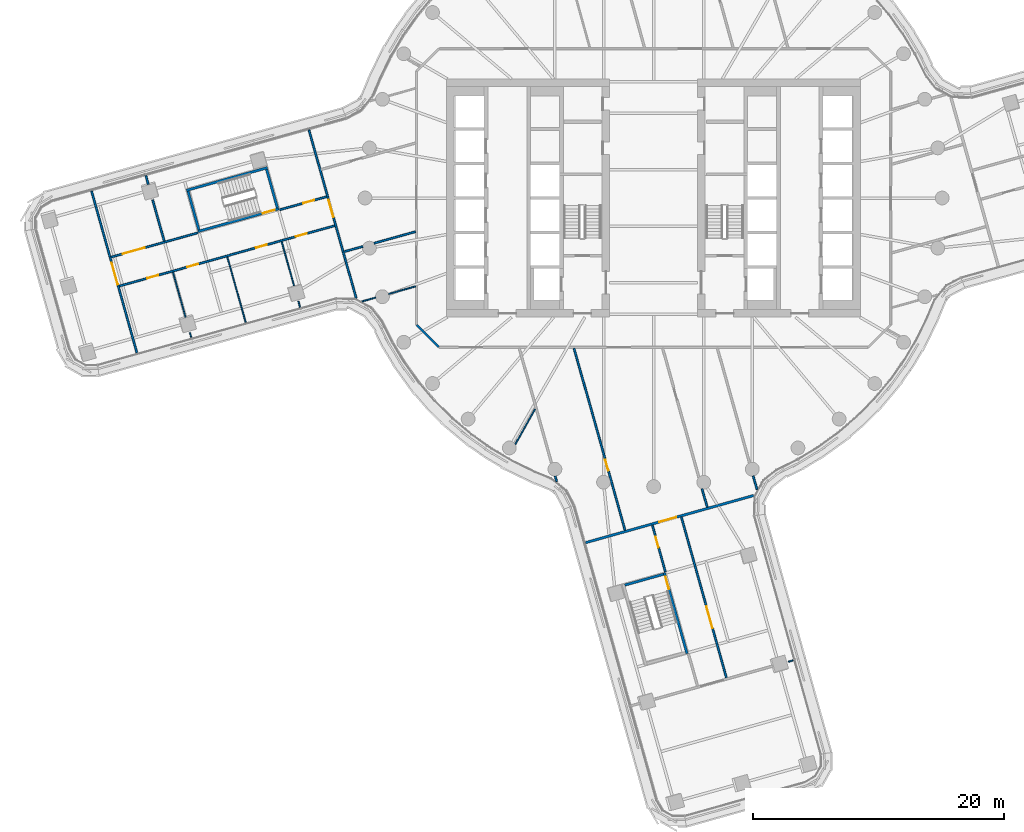
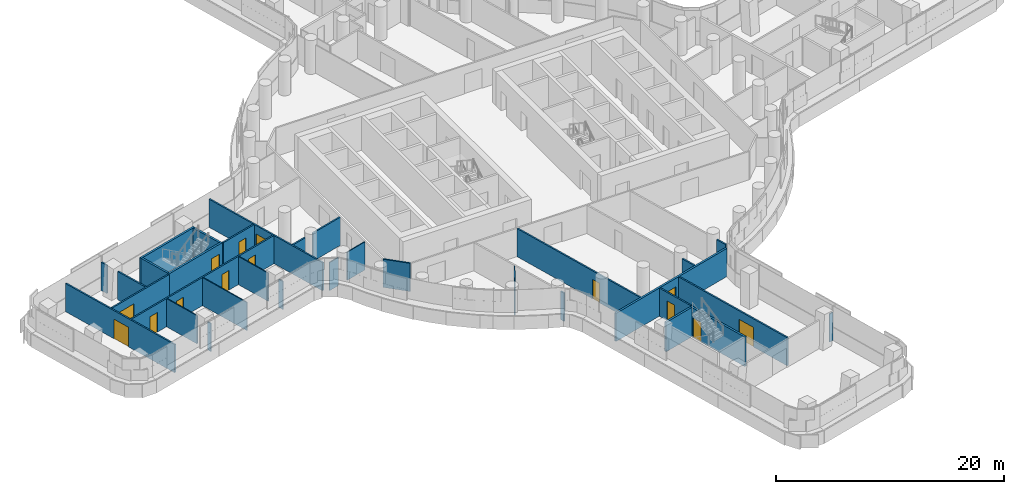
# One storey, part 18 of 30: 32 walls, 14 doors, 14 openings.
"""IFC4 building model written with IfcOpenShell, lengths in metres."""

from ifc_helpers import new_model, si_unit, direction, frame, frame_2d, origin, place, context, subcontext, project, spatial, polyline, rectangle, outline, extrude, material, layer, layer_set, type_object, element, fill, save


model = new_model("IFC4")

# Units and contexts
model_context = context("Model", 3, precision=1e-05, world=origin(), true_north=direction((0.0, 1.0)))
body_context = subcontext(model_context, "Body", "Model", "MODEL_VIEW")
ifc_project = project(units=[si_unit("LENGTHUNIT", "METRE"), si_unit("AREAUNIT", "SQUARE_METRE"), si_unit("VOLUMEUNIT", "CUBIC_METRE"), si_unit("PLANEANGLEUNIT", "RADIAN"), si_unit("MASSUNIT", "GRAM", prefix="KILO")], contexts=[model_context])

# Site, building, storey
site_placement = place(None, origin())
site = spatial("IfcSite", under=ifc_project, at=site_placement, CompositionType="ELEMENT")
building_placement = place(site_placement, origin())
building = spatial("IfcBuilding", under=site, at=building_placement, Name="Tamarind Cross Interchange Tower", CompositionType="ELEMENT")
storey_placement = place(building_placement, frame((0.0, 0.0, 91.0)))
storey = spatial("IfcBuildingStorey", under=building, at=storey_placement, Name="L21", CompositionType="ELEMENT", Elevation=91.0)

# Walls
ifc_material_1 = material(Name="Gypsum board partition on steel studs", Category="steel")
ifc_layer_1 = layer(ifc_material_1, 0.10009765625)
ifc_layer_set_1 = layer_set([ifc_layer_1], Name="Gypsum board partition on steel studs")
wall_type_1 = type_object("IfcWallType", Name="Partition 100 mm EI 90", PredefinedType="PARTITIONING", material=ifc_layer_set_1)
wall_1_placement = place(storey_placement, frame((-38.312255859375, -5.901123046875, 0.0), z_axis=(0.0, 0.0, 1.0), x_axis=(0.270158567509, -0.962815843452, 0.0)))
element("IfcWall", 1, at=wall_1_placement, inside=storey, type_object=wall_type_1, Name="Partition L21-004", PredefinedType="PARTITIONING", context=body_context, shape_type="SweptSolid", body=[
    extrude(rectangle(XDim=3.734130859375, YDim=0.10009765625, at=frame_2d((1.8671875, 0.0))), origin(), (0.0, 0.0, 1.0), 3.010009765625),
])
wall_2_placement = place(storey_placement, frame((-36.953857421875, -10.74267578125, 0.0), z_axis=(0.0, 0.0, 1.0), x_axis=(0.270187887262, -0.962807616078, 0.0)))
element("IfcWall", 2, at=wall_2_placement, inside=storey, type_object=wall_type_1, Name="Partition L21-005", PredefinedType="PARTITIONING", context=body_context, shape_type="SweptSolid", body=[
    extrude(rectangle(XDim=0.40576171875, YDim=0.10009765625, at=frame_2d((0.202880859375, 0.0))), origin(), (0.0, 0.0, 1.0), 3.010009765625),
])
wall_3_placement = place(storey_placement, frame((-33.978515625, -4.68994140625, 0.0), z_axis=(0.0, 0.0, 1.0), x_axis=(0.270073048027, -0.96283983545, 0.0)))
element("IfcWall", 3, at=wall_3_placement, inside=storey, type_object=wall_type_1, Name="Partition L21-006", PredefinedType="PARTITIONING", context=body_context, shape_type="SweptSolid", body=[
    extrude(rectangle(XDim=5.435546875, YDim=0.10009765625, at=frame_2d((2.7177734375, 0.0))), origin(), (0.0, 0.0, 1.0), 3.010009765625),
])
wall_4_placement = place(storey_placement, frame((-29.6455078125, -3.47412109375, 0.0), z_axis=(0.0, 0.0, 1.0), x_axis=(0.270200877917, -0.962803970481, 0.0)))
element("IfcWall", 4, at=wall_4_placement, inside=storey, type_object=wall_type_1, Name="Partition L21-007", PredefinedType="PARTITIONING", context=body_context, shape_type="SweptSolid", body=[
    extrude(rectangle(XDim=3.647705078125, YDim=0.10009765625, at=frame_2d((1.82373046875, 0.0))), origin(), (0.0, 0.0, 1.0), 3.010009765625),
])
wall_5_placement = place(storey_placement, frame((-28.310302734375, -8.232421875, 0.0), z_axis=(0.0, 0.0, 1.0), x_axis=(0.270010229157, -0.962857453703, 0.0)))
element("IfcWall", 5, at=wall_5_placement, inside=storey, type_object=wall_type_1, Name="Partition L21-008", PredefinedType="PARTITIONING", context=body_context, shape_type="SweptSolid", body=[
    extrude(rectangle(XDim=0.5, YDim=0.10009765625, at=frame_2d((0.25, 0.0))), origin(), (0.0, 0.0, 1.0), 3.010009765625),
])
wall_6_placement = place(storey_placement, frame((-23.23388671875, -8.23974609375, 0.0), z_axis=(0.0, 0.0, 1.0), x_axis=(0.962819188594, 0.2701466455, 0.0)))
element("IfcWall", 6, at=wall_6_placement, inside=storey, type_object=wall_type_1, Name="Partition L21-049", PredefinedType="PARTITIONING", context=body_context, shape_type="SweptSolid", body=[
    extrude(rectangle(XDim=1.12158203125, YDim=0.10009765625, at=frame_2d((0.560791015625, 0.0))), origin(), (0.0, 0.0, 1.0), 3.010009765625),
])
wall_7_placement = place(storey_placement, frame((-21.1123046875, -7.64453125, 0.0), z_axis=(0.0, 0.0, 1.0), x_axis=(0.96283500549, 0.270090266769, 0.0)))
element("IfcWall", 7, at=wall_7_placement, inside=storey, type_object=wall_type_1, Name="Partition L21-050", PredefinedType="PARTITIONING", context=body_context, shape_type="SweptSolid", body=[
    extrude(rectangle(XDim=2.22265625, YDim=0.10009765625, at=frame_2d((1.111328125, 0.0))), origin(), (0.0, 0.0, 1.0), 3.010009765625),
])
wall_8_placement = place(storey_placement, frame((10.74267578125, -36.953857421875, 0.0), z_axis=(0.0, 0.0, 1.0), x_axis=(0.962807616078, 0.270187887262, 0.0)))
element("IfcWall", 8, at=wall_8_placement, inside=storey, type_object=wall_type_1, Name="Partition L21-061", PredefinedType="PARTITIONING", context=body_context, shape_type="SweptSolid", body=[
    extrude(rectangle(XDim=0.40576171875, YDim=0.10009765625, at=frame_2d((0.202880859375, 0.0))), origin(), (0.0, 0.0, 1.0), 3.010009765625),
])
wall_9_placement = place(storey_placement, frame((-11.026611328125, -19.627197265625, 0.0), z_axis=(0.0, 0.0, 1.0), x_axis=(0.489815478244, 0.871826127891, 0.0)))
element("IfcWall", 9, at=wall_9_placement, inside=storey, type_object=wall_type_1, Name="Partition L21-075", PredefinedType="PARTITIONING", context=body_context, shape_type="SweptSolid", body=[
    extrude(rectangle(XDim=3.224853515625, YDim=0.10009765625, at=frame_2d((1.6123046875, 0.0))), origin(), (0.0, 0.0, 1.0), 3.010009765625),
])

# Wall, opening, door
ifc_layer_2 = layer(ifc_material_1, 0.14990234375)
ifc_layer_set_2 = layer_set([ifc_layer_2], Name="Gypsum board partition on steel studs")
wall_type_2 = type_object("IfcWallType", Name="Partition 150 mm EI 120", PredefinedType="PARTITIONING", material=ifc_layer_set_2)
wall_10_placement = place(storey_placement, frame((-44.798828125, 0.561279296875, 0.0), z_axis=(0.0, 0.0, 1.0), x_axis=(0.27014204112, -0.962820480474, 0.0)))
wall_10 = element("IfcWall", 10, at=wall_10_placement, inside=storey, type_object=wall_type_2, Name="Partition L21-001", PredefinedType="PARTITIONING", context=body_context, shape_type="SweptSolid", body=[
    extrude(rectangle(XDim=13.402587890625, YDim=0.14990234375, at=frame_2d((6.701171875, 0.0))), origin(), (0.0, 0.0, 1.0), 3.010009765625),
])
opening_1_placement = place(wall_10_placement, frame((5.948486328125, 0.0, 0.0)))
opening_1 = element("IfcOpeningElement", 11, at=opening_1_placement, cuts=wall_10, Name="Opening D01", PredefinedType="OPENING", context=body_context, shape_type="SweptSolid", body=[
    extrude(rectangle(XDim=1.800048828125, YDim=2.10009765625, at=frame_2d((0.89990234375, 1.050048828125))), frame((0.0, 0.0849609375, 0.0), z_axis=(0.0, -1.0, 0.0), x_axis=(1.0, 0.0, 0.0)), (0.0, 0.0, 1.0), 0.169921875),
])
ifc_material_2 = material(Name="Fire-resisting door set")
door_type_1 = type_object("IfcDoorType", Name="Interior door 1800 x 2100 FD60S", OperationType="DOUBLE_DOOR_SINGLE_SWING", PredefinedType="DOOR", material=ifc_material_2)
door_1_placement = place(opening_1_placement, frame((1.800048828125, 0.0, 0.0), z_axis=(0.0, 0.0, 1.0), x_axis=(-1.0, 0.0, 0.0)))
door_1 = element("IfcDoor", 12, at=door_1_placement, inside=storey, type_object=door_type_1, Name="Door D01", OperationType="DOUBLE_DOOR_SINGLE_SWING", OverallHeight=2.10009765625, OverallWidth=1.800048828125, PredefinedType="DOOR", context=body_context, shape_type="SweptSolid", body=[
    extrude(rectangle(XDim=1.800048828125, YDim=2.10009765625, at=frame_2d((0.89990234375, 1.050048828125))), frame((0.0, 0.02490234375, 0.0), z_axis=(0.0, -1.0, 0.0), x_axis=(1.0, 0.0, 0.0)), (0.0, 0.0, 1.0), 0.050048828125),
])
fill(opening_1, door_1)

# Walls
wall_11_placement = place(storey_placement, frame((-40.466552734375, 1.776611328125, 0.0), z_axis=(0.0, 0.0, 1.0), x_axis=(0.270088740484, -0.962835433635, 0.0)))
element("IfcWall", 13, at=wall_11_placement, inside=storey, type_object=wall_type_2, Name="Partition L21-002", PredefinedType="PARTITIONING", context=body_context, shape_type="SweptSolid", body=[
    extrude(rectangle(XDim=0.71044921875, YDim=0.14990234375, at=frame_2d((0.355224609375, 0.0))), origin(), (0.0, 0.0, 1.0), 3.010009765625),
])
wall_12_placement = place(storey_placement, frame((-39.925048828125, -0.15380859375, 0.0), z_axis=(0.0, 0.0, 1.0), x_axis=(0.270165680079, -0.962813847692, 0.0)))
element("IfcWall", 14, at=wall_12_placement, inside=storey, type_object=wall_type_2, Name="Partition L21-003", PredefinedType="PARTITIONING", context=body_context, shape_type="SweptSolid", body=[
    extrude(rectangle(XDim=3.4140625, YDim=0.14990234375, at=frame_2d((1.70703125, 0.0))), origin(), (0.0, 0.0, 1.0), 3.010009765625),
])

# Wall, opening, door
wall_13_placement = place(storey_placement, frame((-27.46875, 5.42333984375, 0.0), z_axis=(0.0, 0.0, 1.0), x_axis=(0.270193088423, -0.962806156487, 0.0)))
wall_13 = element("IfcWall", 15, at=wall_13_placement, inside=storey, type_object=wall_type_2, Name="Partition L21-009", PredefinedType="PARTITIONING", context=body_context, shape_type="SweptSolid", body=[
    extrude(rectangle(XDim=13.924072265625, YDim=0.14990234375, at=frame_2d((6.9619140625, 0.0))), origin(), (0.0, 0.0, 1.0), 3.010009765625),
])
opening_2_placement = place(wall_13_placement, frame((5.798828125, 0.0, 0.0)))
opening_2 = element("IfcOpeningElement", 16, at=opening_2_placement, cuts=wall_13, Name="Opening D02", PredefinedType="OPENING", context=body_context, shape_type="SweptSolid", body=[
    extrude(rectangle(XDim=1.39990234375, YDim=2.10009765625, at=frame_2d((0.699951171875, 1.050048828125))), frame((0.0, 0.0849609375, 0.0), z_axis=(0.0, -1.0, 0.0), x_axis=(1.0, 0.0, 0.0)), (0.0, 0.0, 1.0), 0.169921875),
])
door_type_2 = type_object("IfcDoorType", Name="Interior door 1400 x 2100 FD60S", OperationType="DOUBLE_DOOR_SINGLE_SWING", PredefinedType="DOOR", material=ifc_material_2)
door_2_placement = place(opening_2_placement, origin())
door_2 = element("IfcDoor", 17, at=door_2_placement, inside=storey, type_object=door_type_2, Name="Door D02", OperationType="DOUBLE_DOOR_SINGLE_SWING", OverallHeight=2.10009765625, OverallWidth=1.39990234375, PredefinedType="DOOR", context=body_context, shape_type="SweptSolid", body=[
    extrude(rectangle(XDim=1.39990234375, YDim=2.10009765625, at=frame_2d((0.699951171875, 1.050048828125))), frame((0.0, 0.02490234375, 0.0), z_axis=(0.0, -1.0, 0.0), x_axis=(1.0, 0.0, 0.0)), (0.0, 0.0, 1.0), 0.050048828125),
])
fill(opening_2, door_2)

# Wall
wall_14_placement = place(storey_placement, frame((-7.8466796875, -22.16748046875, 0.0), z_axis=(0.0, 0.0, 1.0), x_axis=(0.270096338087, -0.96283330237, 0.0)))
element("IfcWall", 18, at=wall_14_placement, inside=storey, type_object=wall_type_2, Name="Partition L21-011", PredefinedType="PARTITIONING", context=body_context, shape_type="SweptSolid", body=[
    extrude(rectangle(XDim=0.446533203125, YDim=0.14990234375, at=frame_2d((0.22314453125, 0.0))), origin(), (0.0, 0.0, 1.0), 3.010009765625),
])

# Wall, opening, door
wall_15_placement = place(storey_placement, frame((-6.343505859375, -11.97705078125, 0.0), z_axis=(0.0, 0.0, 1.0), x_axis=(0.270156496397, -0.962816424587, 0.0)))
wall_15 = element("IfcWall", 19, at=wall_15_placement, inside=storey, type_object=wall_type_2, Name="Partition L21-015", PredefinedType="PARTITIONING", context=body_context, shape_type="SweptSolid", body=[
    extrude(rectangle(XDim=15.063720703125, YDim=0.14990234375, at=frame_2d((7.53173828125, 0.0))), origin(), (0.0, 0.0, 1.0), 3.010009765625),
])
opening_3_placement = place(wall_15_placement, frame((9.219970703125, 0.0, 0.0)))
opening_3 = element("IfcOpeningElement", 20, at=opening_3_placement, cuts=wall_15, Name="Opening D03", PredefinedType="OPENING", context=body_context, shape_type="SweptSolid", body=[
    extrude(rectangle(XDim=0.89990234375, YDim=2.10009765625, at=frame_2d((0.449951171875, 1.050048828125))), frame((0.0, 0.0849609375, 0.0), z_axis=(0.0, -1.0, 0.0), x_axis=(1.0, 0.0, 0.0)), (0.0, 0.0, 1.0), 0.169921875),
])
door_type_3 = type_object("IfcDoorType", Name="Interior door 900 x 2100 FD60S", OperationType="SINGLE_SWING_LEFT", PredefinedType="DOOR", material=ifc_material_2)
door_3_placement = place(opening_3_placement, frame((0.89990234375, 0.0, 0.0), z_axis=(0.0, 0.0, 1.0), x_axis=(-1.0, 0.0, 0.0)))
door_3 = element("IfcDoor", 21, at=door_3_placement, inside=storey, type_object=door_type_3, Name="Door D03", OperationType="SINGLE_SWING_RIGHT", OverallHeight=2.10009765625, OverallWidth=0.89990234375, PredefinedType="DOOR", context=body_context, shape_type="SweptSolid", body=[
    extrude(rectangle(XDim=0.89990234375, YDim=2.10009765625, at=frame_2d((0.449951171875, 1.050048828125))), frame((0.0, 0.02490234375, 0.0), z_axis=(0.0, -1.0, 0.0), x_axis=(1.0, 0.0, 0.0)), (0.0, 0.0, 1.0), 0.050048828125),
])
fill(opening_3, door_3)

wall_16_placement = place(storey_placement, frame((-0.10205078125, -26.079345703125, 0.0), z_axis=(0.0, 0.0, 1.0), x_axis=(0.270148382167, -0.962818701321, 0.0)))
wall_16 = element("IfcWall", 22, at=wall_16_placement, inside=storey, type_object=wall_type_2, Name="Partition L21-021", PredefinedType="PARTITIONING", context=body_context, shape_type="SweptSolid", body=[
    extrude(rectangle(XDim=3.85986328125, YDim=0.14990234375, at=frame_2d((1.929931640625, 0.0))), origin(), (0.0, 0.0, 1.0), 3.010009765625),
])
opening_4_placement = place(wall_16_placement, frame((0.949951171875, 0.0, 0.0)))
opening_4 = element("IfcOpeningElement", 23, at=opening_4_placement, cuts=wall_16, Name="Opening D09", PredefinedType="OPENING", context=body_context, shape_type="SweptSolid", body=[
    extrude(rectangle(XDim=0.89990234375, YDim=2.10009765625, at=frame_2d((0.449951171875, 1.050048828125))), frame((0.0, 0.0849609375, 0.0), z_axis=(0.0, -1.0, 0.0), x_axis=(1.0, 0.0, 0.0)), (0.0, 0.0, 1.0), 0.169921875),
])
door_4_placement = place(opening_4_placement, frame((0.89990234375, 0.0, 0.0), z_axis=(0.0, 0.0, 1.0), x_axis=(-1.0, 0.0, 0.0)))
door_4 = element("IfcDoor", 24, at=door_4_placement, inside=storey, type_object=door_type_3, Name="Door D09", OperationType="SINGLE_SWING_LEFT", OverallHeight=2.10009765625, OverallWidth=0.89990234375, PredefinedType="DOOR", context=body_context, shape_type="SweptSolid", body=[
    extrude(rectangle(XDim=0.89990234375, YDim=2.10009765625, at=frame_2d((0.449951171875, 1.050048828125))), frame((0.0, 0.02490234375, 0.0), z_axis=(0.0, -1.0, 0.0), x_axis=(1.0, 0.0, 0.0)), (0.0, 0.0, 1.0), 0.050048828125),
])
fill(opening_4, door_4)

# Wall
wall_17_placement = place(storey_placement, frame((3.861083984375, -23.175048828125, 0.0), z_axis=(0.0, 0.0, 1.0), x_axis=(0.270003908653, -0.962859226114, 0.0)))
element("IfcWall", 25, at=wall_17_placement, inside=storey, type_object=wall_type_2, Name="Partition L21-024", PredefinedType="PARTITIONING", context=body_context, shape_type="SweptSolid", body=[
    extrude(rectangle(XDim=1.525390625, YDim=0.14990234375, at=frame_2d((0.7626953125, 0.0))), origin(), (0.0, 0.0, 1.0), 3.010009765625),
])

# Wall, opening, door
wall_18_placement = place(storey_placement, frame((2.208984375, -25.431396484375, 0.0), z_axis=(0.0, 0.0, 1.0), x_axis=(0.270149976145, -0.96281825408, 0.0)))
wall_18 = element("IfcWall", 26, at=wall_18_placement, inside=storey, type_object=wall_type_2, Name="Partition L21-026", PredefinedType="PARTITIONING", context=body_context, shape_type="SweptSolid", body=[
    extrude(rectangle(XDim=13.320068359375, YDim=0.14990234375, at=frame_2d((6.66015625, 0.0))), origin(), (0.0, 0.0, 1.0), 3.010009765625),
])
opening_5_placement = place(wall_18_placement, frame((7.39990234375, 0.0, 0.0)))
opening_5 = element("IfcOpeningElement", 27, at=opening_5_placement, cuts=wall_18, Name="Opening D11", PredefinedType="OPENING", context=body_context, shape_type="SweptSolid", body=[
    extrude(rectangle(XDim=1.800048828125, YDim=2.10009765625, at=frame_2d((0.89990234375, 1.050048828125))), frame((0.0, 0.0849609375, 0.0), z_axis=(0.0, -1.0, 0.0), x_axis=(1.0, 0.0, 0.0)), (0.0, 0.0, 1.0), 0.169921875),
])
door_5_placement = place(opening_5_placement, origin())
door_5 = element("IfcDoor", 28, at=door_5_placement, inside=storey, type_object=door_type_1, Name="Door D11", OperationType="DOUBLE_DOOR_SINGLE_SWING", OverallHeight=2.10009765625, OverallWidth=1.800048828125, PredefinedType="DOOR", context=body_context, shape_type="SweptSolid", body=[
    extrude(rectangle(XDim=1.800048828125, YDim=2.10009765625, at=frame_2d((0.89990234375, 1.050048828125))), frame((0.0, 0.02490234375, 0.0), z_axis=(0.0, -1.0, 0.0), x_axis=(1.0, 0.0, 0.0)), (0.0, 0.0, 1.0), 0.050048828125),
])
fill(opening_5, door_5)

# Walls
wall_19_placement = place(storey_placement, frame((7.936767578125, -22.154052734375, 0.0), z_axis=(0.0, 0.0, 1.0), x_axis=(0.2701466455, -0.962819188594, 0.0)))
element("IfcWall", 29, at=wall_19_placement, inside=storey, type_object=wall_type_2, Name="Partition L21-029", PredefinedType="PARTITIONING", context=body_context, shape_type="SweptSolid", body=[
    extrude(rectangle(XDim=1.12158203125, YDim=0.14990234375, at=frame_2d((0.560791015625, 0.0))), origin(), (0.0, 0.0, 1.0), 3.010009765625),
])
wall_20_placement = place(storey_placement, frame((-18.87158203125, -10.12841796875, 0.0), z_axis=(0.0, 0.0, 1.0), x_axis=(0.707106781187, -0.707106781187, 0.0)))
element("IfcWall", 30, at=wall_20_placement, inside=storey, type_object=wall_type_2, Name="Partition L21-037", PredefinedType="PARTITIONING", context=body_context, shape_type="SweptSolid", body=[
    extrude(rectangle(XDim=2.465087890625, YDim=0.14990234375, at=frame_2d((1.232421875, 0.0))), origin(), (0.0, 0.0, 1.0), 3.010009765625),
])

# Wall, opening, door
wall_21_placement = place(storey_placement, frame((-43.237060546875, -4.71142578125, 0.0), z_axis=(0.0, 0.0, 1.0), x_axis=(0.962829355558, 0.270110407195, 0.0)))
wall_21 = element("IfcWall", 31, at=wall_21_placement, inside=storey, type_object=wall_type_2, Name="Partition L21-043", PredefinedType="PARTITIONING", context=body_context, shape_type="SweptSolid", body=[
    extrude(rectangle(XDim=7.18017578125, YDim=0.14990234375, at=frame_2d((3.590087890625, 0.0))), origin(), (0.0, 0.0, 1.0), 3.010009765625),
])
opening_6_placement = place(wall_21_placement, frame((0.969970703125, 0.0, 0.0)))
opening_6 = element("IfcOpeningElement", 32, at=opening_6_placement, cuts=wall_21, Name="Opening D21", PredefinedType="OPENING", context=body_context, shape_type="SweptSolid", body=[
    extrude(rectangle(XDim=1.800048828125, YDim=2.10009765625, at=frame_2d((0.89990234375, 1.050048828125))), frame((0.0, 0.0849609375, 0.0), z_axis=(0.0, -1.0, 0.0), x_axis=(1.0, 0.0, 0.0)), (0.0, 0.0, 1.0), 0.169921875),
])
door_6_placement = place(opening_6_placement, origin())
door_6 = element("IfcDoor", 33, at=door_6_placement, inside=storey, type_object=door_type_1, Name="Door D21", OperationType="DOUBLE_DOOR_SINGLE_SWING", OverallHeight=2.10009765625, OverallWidth=1.800048828125, PredefinedType="DOOR", context=body_context, shape_type="SweptSolid", body=[
    extrude(rectangle(XDim=1.800048828125, YDim=2.10009765625, at=frame_2d((0.89990234375, 1.050048828125))), frame((0.0, 0.02490234375, 0.0), z_axis=(0.0, -1.0, 0.0), x_axis=(1.0, 0.0, 0.0)), (0.0, 0.0, 1.0), 0.050048828125),
])
fill(opening_6, door_6)

wall_22_placement = place(storey_placement, frame((-29.795654296875, -0.940673828125, 0.0), z_axis=(0.0, 0.0, 1.0), x_axis=(0.962831409114, 0.270103087029, 0.0)))
wall_22 = element("IfcWall", 34, at=wall_22_placement, inside=storey, type_object=wall_type_2, Name="Partition L21-044", PredefinedType="PARTITIONING", context=body_context, shape_type="SweptSolid", body=[
    extrude(rectangle(XDim=3.884765625, YDim=0.14990234375, at=frame_2d((1.9423828125, 0.0))), origin(), (0.0, 0.0, 1.0), 3.010009765625),
])
opening_7_placement = place(wall_22_placement, frame((1.949951171875, 0.0, 0.0)))
opening_7 = element("IfcOpeningElement", 35, at=opening_7_placement, cuts=wall_22, Name="Opening D22", PredefinedType="OPENING", context=body_context, shape_type="SweptSolid", body=[
    extrude(rectangle(XDim=0.89990234375, YDim=2.10009765625, at=frame_2d((0.449951171875, 1.050048828125))), frame((0.0, 0.0849609375, 0.0), z_axis=(0.0, -1.0, 0.0), x_axis=(1.0, 0.0, 0.0)), (0.0, 0.0, 1.0), 0.169921875),
])
door_7_placement = place(opening_7_placement, origin())
door_7 = element("IfcDoor", 36, at=door_7_placement, inside=storey, type_object=door_type_3, Name="Door D22", OperationType="SINGLE_SWING_LEFT", OverallHeight=2.10009765625, OverallWidth=0.89990234375, PredefinedType="DOOR", context=body_context, shape_type="SweptSolid", body=[
    extrude(rectangle(XDim=0.89990234375, YDim=2.10009765625, at=frame_2d((0.449951171875, 1.050048828125))), frame((0.0, 0.02490234375, 0.0), z_axis=(0.0, -1.0, 0.0), x_axis=(1.0, 0.0, 0.0)), (0.0, 0.0, 1.0), 0.050048828125),
])
fill(opening_7, door_7)

# Wall, openings, doors
wall_23_placement = place(storey_placement, frame((-42.5927734375, -7.023681640625, 0.0), z_axis=(0.0, 0.0, 1.0), x_axis=(0.962847870595, 0.270044400221, 0.0)))
wall_23 = element("IfcWall", 37, at=wall_23_placement, inside=storey, type_object=wall_type_2, Name="Partition L21-045", PredefinedType="PARTITIONING", context=body_context, shape_type="SweptSolid", body=[
    extrude(rectangle(XDim=17.84912109375, YDim=0.14990234375, at=frame_2d((8.924560546875, 0.0))), origin(), (0.0, 0.0, 1.0), 3.010009765625),
])
opening_8_placement = place(wall_23_placement, frame((14.625, 0.0, 0.0)))
opening_8 = element("IfcOpeningElement", 38, at=opening_8_placement, cuts=wall_23, Name="Opening D23", PredefinedType="OPENING", context=body_context, shape_type="SweptSolid", body=[
    extrude(rectangle(XDim=0.89990234375, YDim=2.10009765625, at=frame_2d((0.449951171875, 1.050048828125))), frame((0.0, 0.0849609375, 0.0), z_axis=(0.0, -1.0, 0.0), x_axis=(1.0, 0.0, 0.0)), (0.0, 0.0, 1.0), 0.169921875),
])
opening_9_placement = place(wall_23_placement, frame((11.32470703125, 0.0, 0.0)))
opening_9 = element("IfcOpeningElement", 39, at=opening_9_placement, cuts=wall_23, Name="Opening D24", PredefinedType="OPENING", context=body_context, shape_type="SweptSolid", body=[
    extrude(rectangle(XDim=0.89990234375, YDim=2.10009765625, at=frame_2d((0.449951171875, 1.050048828125))), frame((0.0, 0.0849609375, 0.0), z_axis=(0.0, -1.0, 0.0), x_axis=(1.0, 0.0, 0.0)), (0.0, 0.0, 1.0), 0.169921875),
])
opening_10_placement = place(wall_23_placement, frame((5.624267578125, 0.0, 0.0)))
opening_10 = element("IfcOpeningElement", 40, at=opening_10_placement, cuts=wall_23, Name="Opening D25", PredefinedType="OPENING", context=body_context, shape_type="SweptSolid", body=[
    extrude(rectangle(XDim=0.89990234375, YDim=2.10009765625, at=frame_2d((0.449951171875, 1.050048828125))), frame((0.0, 0.0849609375, 0.0), z_axis=(0.0, -1.0, 0.0), x_axis=(1.0, 0.0, 0.0)), (0.0, 0.0, 1.0), 0.169921875),
])
opening_11_placement = place(wall_23_placement, frame((2.324951171875, 0.0, 0.0)))
opening_11 = element("IfcOpeningElement", 41, at=opening_11_placement, cuts=wall_23, Name="Opening D26", PredefinedType="OPENING", context=body_context, shape_type="SweptSolid", body=[
    extrude(rectangle(XDim=0.89990234375, YDim=2.10009765625, at=frame_2d((0.449951171875, 1.050048828125))), frame((0.0, 0.0849609375, 0.0), z_axis=(0.0, -1.0, 0.0), x_axis=(1.0, 0.0, 0.0)), (0.0, 0.0, 1.0), 0.169921875),
])
door_8_placement = place(opening_8_placement, frame((0.89990234375, 0.0, 0.0), z_axis=(0.0, 0.0, 1.0), x_axis=(-1.0, 0.0, 0.0)))
door_8 = element("IfcDoor", 42, at=door_8_placement, inside=storey, type_object=door_type_3, Name="Door D23", OperationType="SINGLE_SWING_RIGHT", OverallHeight=2.10009765625, OverallWidth=0.89990234375, PredefinedType="DOOR", context=body_context, shape_type="SweptSolid", body=[
    extrude(rectangle(XDim=0.89990234375, YDim=2.10009765625, at=frame_2d((0.449951171875, 1.050048828125))), frame((0.0, 0.02490234375, 0.0), z_axis=(0.0, -1.0, 0.0), x_axis=(1.0, 0.0, 0.0)), (0.0, 0.0, 1.0), 0.050048828125),
])
fill(opening_8, door_8)
door_9_placement = place(opening_9_placement, frame((0.89990234375, 0.0, 0.0), z_axis=(0.0, 0.0, 1.0), x_axis=(-1.0, 0.0, 0.0)))
door_9 = element("IfcDoor", 43, at=door_9_placement, inside=storey, type_object=door_type_3, Name="Door D24", OperationType="SINGLE_SWING_RIGHT", OverallHeight=2.10009765625, OverallWidth=0.89990234375, PredefinedType="DOOR", context=body_context, shape_type="SweptSolid", body=[
    extrude(rectangle(XDim=0.89990234375, YDim=2.10009765625, at=frame_2d((0.449951171875, 1.050048828125))), frame((0.0, 0.02490234375, 0.0), z_axis=(0.0, -1.0, 0.0), x_axis=(1.0, 0.0, 0.0)), (0.0, 0.0, 1.0), 0.050048828125),
])
fill(opening_9, door_9)
door_10_placement = place(opening_10_placement, frame((0.89990234375, 0.0, 0.0), z_axis=(0.0, 0.0, 1.0), x_axis=(-1.0, 0.0, 0.0)))
door_10 = element("IfcDoor", 44, at=door_10_placement, inside=storey, type_object=door_type_3, Name="Door D25", OperationType="SINGLE_SWING_LEFT", OverallHeight=2.10009765625, OverallWidth=0.89990234375, PredefinedType="DOOR", context=body_context, shape_type="SweptSolid", body=[
    extrude(rectangle(XDim=0.89990234375, YDim=2.10009765625, at=frame_2d((0.449951171875, 1.050048828125))), frame((0.0, 0.02490234375, 0.0), z_axis=(0.0, -1.0, 0.0), x_axis=(1.0, 0.0, 0.0)), (0.0, 0.0, 1.0), 0.050048828125),
])
fill(opening_10, door_10)
door_11_placement = place(opening_11_placement, frame((0.89990234375, 0.0, 0.0), z_axis=(0.0, 0.0, 1.0), x_axis=(-1.0, 0.0, 0.0)))
door_11 = element("IfcDoor", 45, at=door_11_placement, inside=storey, type_object=door_type_3, Name="Door D26", OperationType="SINGLE_SWING_LEFT", OverallHeight=2.10009765625, OverallWidth=0.89990234375, PredefinedType="DOOR", context=body_context, shape_type="SweptSolid", body=[
    extrude(rectangle(XDim=0.89990234375, YDim=2.10009765625, at=frame_2d((0.449951171875, 1.050048828125))), frame((0.0, 0.02490234375, 0.0), z_axis=(0.0, -1.0, 0.0), x_axis=(1.0, 0.0, 0.0)), (0.0, 0.0, 1.0), 0.050048828125),
])
fill(opening_11, door_11)

# Walls
wall_24_placement = place(storey_placement, frame((-24.667724609375, -4.27978515625, 0.0), z_axis=(0.0, 0.0, 1.0), x_axis=(0.962837976716, 0.270079674529, 0.0)))
element("IfcWall", 46, at=wall_24_placement, inside=storey, type_object=wall_type_2, Name="Partition L21-047", PredefinedType="PARTITIONING", context=body_context, shape_type="SweptSolid", body=[
    extrude(rectangle(XDim=1.55029296875, YDim=0.14990234375, at=frame_2d((0.775146484375, 0.0))), origin(), (0.0, 0.0, 1.0), 3.010009765625),
])
wall_25_placement = place(storey_placement, frame((-22.271728515625, -3.607666015625, 0.0), z_axis=(0.0, 0.0, 1.0), x_axis=(0.962845365639, 0.270053331526, 0.0)))
element("IfcWall", 47, at=wall_25_placement, inside=storey, type_object=wall_type_2, Name="Partition L21-048", PredefinedType="PARTITIONING", context=body_context, shape_type="SweptSolid", body=[
    extrude(rectangle(XDim=3.421875, YDim=0.14990234375, at=frame_2d((1.7109375, 0.0))), origin(), (0.0, 0.0, 1.0), 3.010009765625),
])

# Wall, opening, door
ifc_layer_3 = layer(ifc_material_1, 0.199951171875)
ifc_layer_set_3 = layer_set([ifc_layer_3], Name="Gypsum board partition on steel studs")
wall_type_3 = type_object("IfcWallType", Name="Partition 200 mm EI 180", PredefinedType="PARTITIONING", material=ifc_layer_set_3)
wall_26_placement = place(storey_placement, frame((-5.42333984375, -27.46875, 0.0), z_axis=(0.0, 0.0, 1.0), x_axis=(0.962806156487, 0.270193088423, 0.0)))
wall_26 = element("IfcWall", 48, at=wall_26_placement, inside=storey, type_object=wall_type_3, Name="Partition L21-056", PredefinedType="PARTITIONING", context=body_context, shape_type="SweptSolid", body=[
    extrude(rectangle(XDim=13.924072265625, YDim=0.199951171875, at=frame_2d((6.9619140625, 0.0))), origin(), (0.0, 0.0, 1.0), 3.010009765625),
])
opening_12_placement = place(wall_26_placement, frame((6.098876953125, 0.0, 0.0)))
opening_12 = element("IfcOpeningElement", 49, at=opening_12_placement, cuts=wall_26, Name="Opening D31", PredefinedType="OPENING", context=body_context, shape_type="SweptSolid", body=[
    extrude(rectangle(XDim=1.39990234375, YDim=2.10009765625, at=frame_2d((0.699951171875, 1.050048828125))), frame((0.0, 0.10986328125, 0.0), z_axis=(0.0, -1.0, 0.0), x_axis=(1.0, 0.0, 0.0)), (0.0, 0.0, 1.0), 0.219970703125),
])
door_type_4 = type_object("IfcDoorType", Name="Interior door 1400 x 2100 FD120S", OperationType="DOUBLE_DOOR_SINGLE_SWING", PredefinedType="DOOR", material=ifc_material_2)
door_12_placement = place(opening_12_placement, origin())
door_12 = element("IfcDoor", 50, at=door_12_placement, inside=storey, type_object=door_type_4, Name="Door D31", OperationType="DOUBLE_DOOR_SINGLE_SWING", OverallHeight=2.10009765625, OverallWidth=1.39990234375, PredefinedType="DOOR", context=body_context, shape_type="SweptSolid", body=[
    extrude(rectangle(XDim=1.39990234375, YDim=2.10009765625, at=frame_2d((0.699951171875, 1.050048828125))), frame((0.0, 0.02490234375, 0.0), z_axis=(0.0, -1.0, 0.0), x_axis=(1.0, 0.0, 0.0)), (0.0, 0.0, 1.0), 0.050048828125),
])
fill(opening_12, door_12)

ifc_material_3 = material(Name="Concrete C40", Category="concrete")
ifc_layer_4 = layer(ifc_material_3, 0.199951171875)
ifc_layer_set_4 = layer_set([ifc_layer_4], Name="Concrete C40")
wall_type_4 = type_object("IfcWallType", Name="Stair shaft wall 200 mm Concrete C40", PredefinedType="SHEAR", material=ifc_layer_set_4)
wall_27_placement = place(storey_placement, frame((-29.861083984375, -0.855224609375, -0.139892578125), z_axis=(0.0, 0.0, 1.0), x_axis=(-0.962816662149, -0.270155649743, 0.0)))
wall_27 = element("IfcWall", 51, at=wall_27_placement, inside=storey, type_object=wall_type_4, Name="Core wall CWL-L21-ST5-H", PredefinedType="SHEAR", context=body_context, shape_type="SweptSolid", body=[
    extrude(rectangle(XDim=6.699951171875, YDim=0.199951171875, at=frame_2d((3.35009765625, 0.0))), origin(), (0.0, 0.0, 1.0), 3.14990234375),
])
opening_13_placement = place(wall_27_placement, frame((0.35009765625, 0.0, 0.0)))
opening_13 = element("IfcOpeningElement", 52, at=opening_13_placement, cuts=wall_27, Name="Opening ST5L21", PredefinedType="OPENING", context=body_context, shape_type="SweptSolid", body=[
    extrude(rectangle(XDim=1.0, YDim=2.10009765625, at=frame_2d((0.5, 1.050048828125))), frame((0.0, 0.10986328125, 0.0), z_axis=(0.0, -1.0, 0.0), x_axis=(1.0, 0.0, 0.0)), (0.0, 0.0, 1.0), 0.219970703125),
])
ifc_material_4 = material(Name="Steel, fire-resisting", Category="steel")
door_type_5 = type_object("IfcDoorType", Name="Core fire door 1000 x 2100 FD90", OperationType="SINGLE_SWING_LEFT", PredefinedType="DOOR", material=ifc_material_4)
door_13_placement = place(opening_13_placement, origin())
door_13 = element("IfcDoor", 53, at=door_13_placement, inside=storey, type_object=door_type_5, Name="L21 stair door ST5", OperationType="SINGLE_SWING_LEFT", OverallHeight=2.10009765625, OverallWidth=1.0, PredefinedType="DOOR", context=body_context, shape_type="SweptSolid", body=[
    extrude(rectangle(XDim=1.0, YDim=2.10009765625, at=frame_2d((0.5, 1.050048828125))), frame((0.0, 0.02490234375, 0.0), z_axis=(0.0, -1.0, 0.0), x_axis=(1.0, 0.0, 0.0)), (0.0, 0.0, 1.0), 0.050048828125),
])
fill(opening_13, door_13)

# Walls
wall_28_placement = place(storey_placement, frame((-30.779541015625, 2.418212890625, -0.139892578125), z_axis=(0.0, 0.0, 1.0), x_axis=(-0.96282879836, -0.270112393364, 0.0)))
element("IfcWall", 54, at=wall_28_placement, inside=storey, type_object=wall_type_4, Name="Core wall CWL-L21-ST5-C", PredefinedType="SHEAR", context=body_context, shape_type="SweptSolid", body=[
    extrude(rectangle(XDim=6.7001953125, YDim=0.199951171875, at=frame_2d((3.35009765625, 0.0))), origin(), (0.0, 0.0, 1.0), 3.14990234375),
])
wall_29_placement = place(storey_placement, frame((-30.848876953125, 2.294921875, -0.139892578125), z_axis=(0.0, 0.0, 1.0), x_axis=(0.270082682319, -0.962837133014, 0.0)))
element("IfcWall", 55, at=wall_29_placement, inside=storey, type_object=wall_type_4, Name="Core wall CWL-L21-ST5-CE", PredefinedType="SHEAR", context=body_context, shape_type="SweptSolid", body=[
    extrude(rectangle(XDim=3.199951171875, YDim=0.199951171875, at=frame_2d((1.60009765625, 0.0))), origin(), (0.0, 0.0, 1.0), 3.14990234375),
])
wall_30_placement = place(storey_placement, frame((0.0, 0.0, -0.139892578125)))
element("IfcWall", 56, at=wall_30_placement, inside=storey, type_object=wall_type_4, Name="Core wall CWL-L21-ST5-CF", PredefinedType="SHEAR", context=body_context, shape_type="SweptSolid", body=[
    extrude(outline(polyline([(-37.010986328125, 0.566162109375), (-37.20361328125, 0.51220703125), (-36.339111328125, -2.56884765625), (-36.146484375, -2.514892578125), (-37.010986328125, 0.566162109375)])), origin(), (0.0, 0.0, 1.0), 3.14990234375),
])

# Wall, opening, door
wall_31_placement = place(storey_placement, frame((0.855224609375, -29.861083984375, -0.139892578125), z_axis=(0.0, 0.0, 1.0), x_axis=(0.270155649743, -0.962816662149, 0.0)))
wall_31 = element("IfcWall", 57, at=wall_31_placement, inside=storey, type_object=wall_type_4, Name="Core wall CWL-L21-ST6-H", PredefinedType="SHEAR", context=body_context, shape_type="SweptSolid", body=[
    extrude(rectangle(XDim=6.699951171875, YDim=0.199951171875, at=frame_2d((3.35009765625, 0.0))), origin(), (0.0, 0.0, 1.0), 3.14990234375),
])
opening_14_placement = place(wall_31_placement, frame((0.35009765625, 0.0, 0.0)))
opening_14 = element("IfcOpeningElement", 58, at=opening_14_placement, cuts=wall_31, Name="Opening ST6L21", PredefinedType="OPENING", context=body_context, shape_type="SweptSolid", body=[
    extrude(rectangle(XDim=1.0, YDim=2.10009765625, at=frame_2d((0.5, 1.050048828125))), frame((0.0, 0.10986328125, 0.0), z_axis=(0.0, -1.0, 0.0), x_axis=(1.0, 0.0, 0.0)), (0.0, 0.0, 1.0), 0.219970703125),
])
door_14_placement = place(opening_14_placement, origin())
door_14 = element("IfcDoor", 59, at=door_14_placement, inside=storey, type_object=door_type_5, Name="L21 stair door ST6", OperationType="SINGLE_SWING_LEFT", OverallHeight=2.10009765625, OverallWidth=1.0, PredefinedType="DOOR", context=body_context, shape_type="SweptSolid", body=[
    extrude(rectangle(XDim=1.0, YDim=2.10009765625, at=frame_2d((0.5, 1.050048828125))), frame((0.0, 0.02490234375, 0.0), z_axis=(0.0, -1.0, 0.0), x_axis=(1.0, 0.0, 0.0)), (0.0, 0.0, 1.0), 0.050048828125),
])
fill(opening_14, door_14)

# Wall
wall_32_placement = place(storey_placement, frame((-2.294921875, -30.848876953125, -0.139892578125), z_axis=(0.0, 0.0, 1.0), x_axis=(0.962837133014, 0.270082682319, 0.0)))
element("IfcWall", 60, at=wall_32_placement, inside=storey, type_object=wall_type_4, Name="Core wall CWL-L21-ST6-CE", PredefinedType="SHEAR", context=body_context, shape_type="SweptSolid", body=[
    extrude(rectangle(XDim=3.199951171875, YDim=0.199951171875, at=frame_2d((1.60009765625, 0.0))), origin(), (0.0, 0.0, 1.0), 3.14990234375),
])

save(model, "model.ifc")
